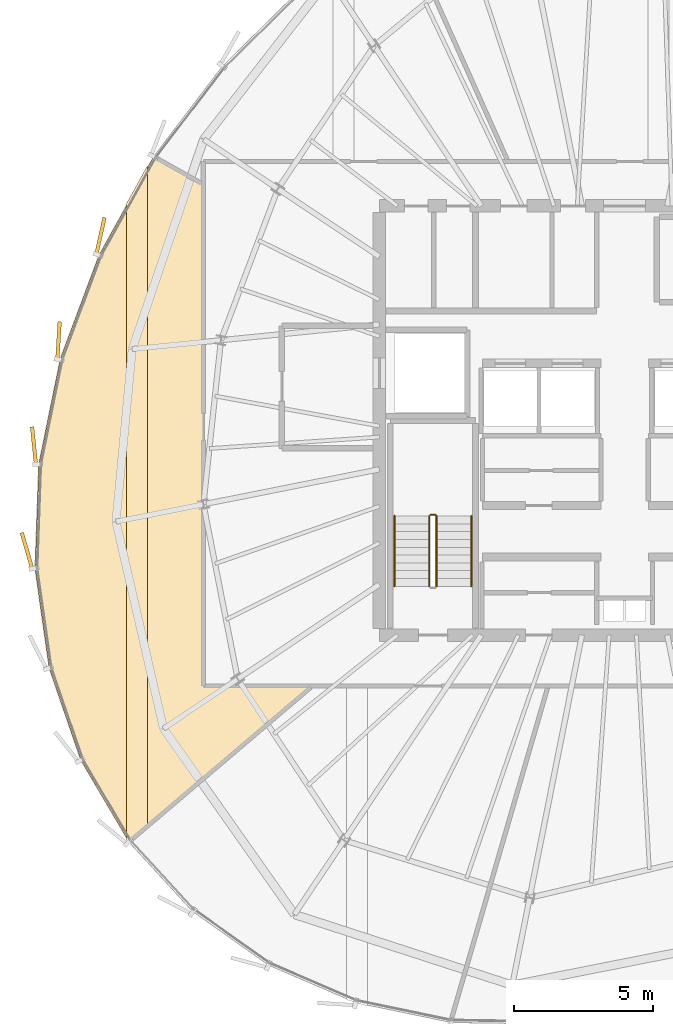
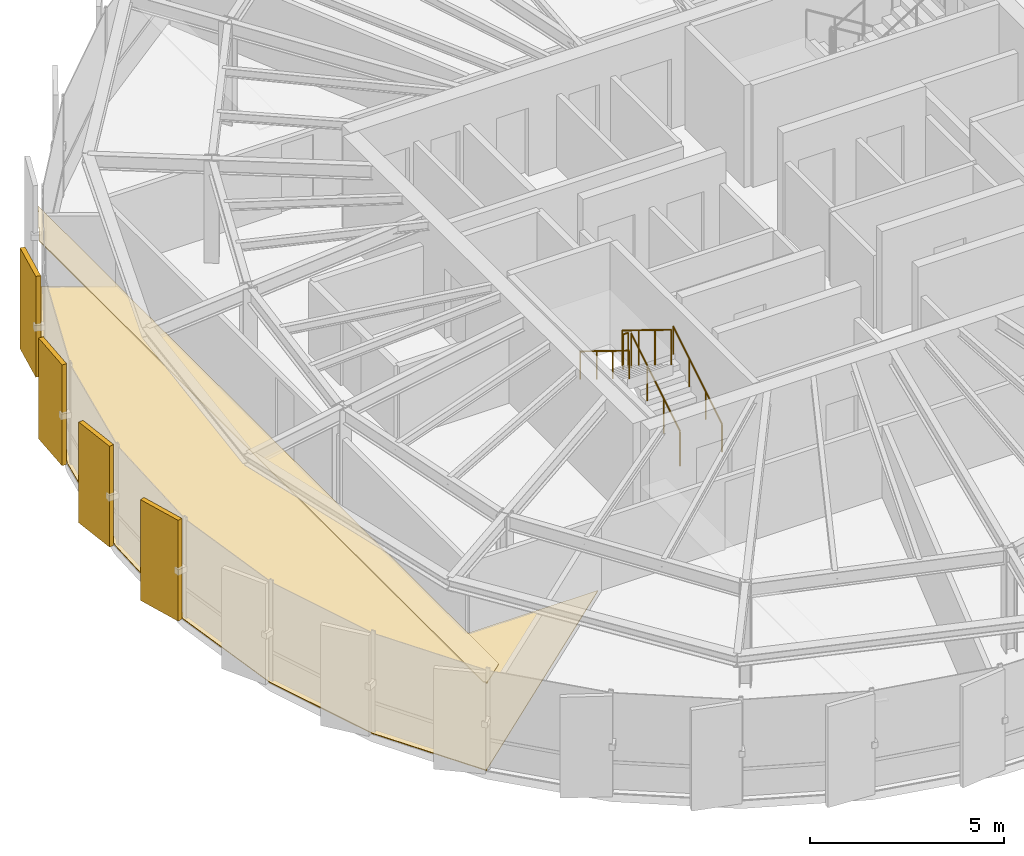
# One storey, part 32 of 34: 6 coverings, 5 railings.
"""IFC4 building model written with IfcOpenShell, lengths in metres."""

from ifc_helpers import new_model, si_unit, direction, frame, origin, origin_2d, place, context, subcontext, project, spatial, polyline, rectangle, circle, outline, extrude, source, transform, mapped, material, layer, layer_set, type_object, element, save


model = new_model("IFC4")

# Units and contexts
model_context = context("Model", 3, precision=1e-05, world=origin(), true_north=direction((0.0, 1.0)))
body_context = subcontext(model_context, "Body", "Model", "MODEL_VIEW")
ifc_project = project(units=[si_unit("LENGTHUNIT", "METRE"), si_unit("AREAUNIT", "SQUARE_METRE"), si_unit("VOLUMEUNIT", "CUBIC_METRE"), si_unit("PLANEANGLEUNIT", "RADIAN"), si_unit("MASSUNIT", "GRAM", prefix="KILO"), si_unit("THERMODYNAMICTEMPERATUREUNIT", "KELVIN")], contexts=[model_context])

# Site, building, storey
site_placement = place(None, origin())
site = spatial("IfcSite", under=ifc_project, at=site_placement, CompositionType="ELEMENT")
building_placement = place(site_placement, origin())
building = spatial("IfcBuilding", under=site, at=building_placement, Name="Kethvar Cultural Tower", CompositionType="ELEMENT")
storey_placement = place(building_placement, frame((0.0, 0.0, 231.85009765625)))
storey = spatial("IfcBuildingStorey", under=building, at=storey_placement, Name="L60", CompositionType="ELEMENT", Elevation=231.85009765625)

# Coverings
ifc_material_1 = material(Name="Acoustic Mineral Fibre Ceiling")
ifc_layer_1 = layer(ifc_material_1, 0.0400390625, Name="Acoustic Mineral Fibre Ceiling")
ifc_layer_set_1 = layer_set([ifc_layer_1], Name="Acoustic Mineral Fibre Ceiling (40 mm)")
covering_type_1 = type_object("IfcCoveringType", Name="CV-ACOUSTIC-CEIL", PredefinedType="CEILING", material=ifc_layer_set_1)
covering_1_placement = place(storey_placement, frame((0.0, 0.0, 2.77978515625)))
element("IfcCovering", 1, at=covering_1_placement, inside=storey, type_object=covering_type_1, Name="L60 Room 07 Acoustic Ceiling Panel", PredefinedType="CEILING", context=body_context, shape_type="SweptSolid", body=[
    extrude(outline(polyline([(29.68017578125, 36.96044921875), (29.68017578125, 13.216552734375), (28.994873046875, 12.641357421875), (28.93017578125, 12.734375), (28.93017578125, 35.60791015625), (29.68017578125, 36.96044921875)])), origin(), (0.0, 0.0, 1.0), 0.0400390625),
])
ifc_material_2 = material(Name="Architectural Oak Timber", Category="wood")
ifc_layer_2 = layer(ifc_material_2, 0.02490234375, Name="Architectural Oak Timber", Category="wood")
ifc_layer_set_2 = layer_set([ifc_layer_2], Name="Architectural Oak Timber (25 mm)")
covering_type_2 = type_object("IfcCoveringType", Name="CV-OAK-FLOOR", PredefinedType="FLOORING", material=ifc_layer_set_2)
covering_2_placement = place(storey_placement, origin())
element("IfcCovering", 2, at=covering_2_placement, inside=storey, type_object=covering_type_2, Name="L60 Room 07 Floor Finish", PredefinedType="FLOORING", context=body_context, shape_type="SweptSolid", body=[
    extrude(outline(polyline([(27.28369140625, 15.6083984375), (26.1474609375, 18.913818359375), (25.638916015625, 22.48974609375), (25.77294921875, 26.22705078125), (26.546142578125, 30.012451171875), (27.934814453125, 33.730712890625), (29.8876953125, 37.252685546875), (31.659912109375, 36.259765625), (31.660888671875, 18.26318359375), (35.536865234375, 18.2490234375), (29.00146484375, 12.69189453125), (27.28369140625, 15.6083984375)])), origin(), (0.0, 0.0, 1.0), 0.02490234375),
])

# Railings
ifc_material_3 = material(Name="Steel S355J2", Category="steel")
railing_type_1 = type_object("IfcRailingType", Name="RL-STAIR-GUARD", PredefinedType="BALUSTRADE", material=ifc_material_3)
railing_1_placement = place(storey_placement, frame((40.050048828125, 21.85009765625, 0.17236328125)))
element("IfcRailing", 3, at=railing_1_placement, inside=storey, type_object=railing_type_1, Name="L60 ST-01 stair guard 1", PredefinedType="BALUSTRADE", context=body_context, shape_type="SweptSolid", body=[
    extrude(circle(Radius=0.02392578125, at=origin_2d()), frame((0.0, 0.0, 1.09619140625), z_axis=(0.0, 0.851400495292, 0.524516154772), x_axis=(-1.0, 0.0, 0.0)), (0.0, 0.0, 1.0), 2.9599609375),
    extrude(circle(Radius=0.02099609375, at=origin_2d()), origin(), (0.0, 0.0, 1.0), 1.072021484375),
    extrude(circle(Radius=0.02099609375, at=origin_2d()), frame((0.0, 0.840087890625, 0.517578125)), (0.0, 0.0, 1.0), 1.072021484375),
    extrude(circle(Radius=0.02099609375, at=origin_2d()), frame((0.0, 1.679931640625, 1.034912109375)), (0.0, 0.0, 1.0), 1.072021484375),
    extrude(circle(Radius=0.02099609375, at=origin_2d()), frame((0.0, 2.52001953125, 1.552490234375)), (0.0, 0.0, 1.0), 1.072021484375),
])
railing_2_placement = place(storey_placement, frame((40.0, 24.419921875, 1.724853515625)))
element("IfcRailing", 4, at=railing_2_placement, inside=storey, type_object=railing_type_1, Name="L60 ST-01 stair guard 2", PredefinedType="BALUSTRADE", context=body_context, shape_type="SweptSolid", body=[
    extrude(circle(Radius=0.02392578125, at=origin_2d()), frame((0.0, 0.0, 1.09619140625), z_axis=(-1.0, 0.0, 0.0), x_axis=(0.0, -1.0, 0.0)), (0.0, 0.0, 1.0), 0.159912109375),
    extrude(circle(Radius=0.02099609375, at=origin_2d()), origin(), (0.0, 0.0, 1.0), 1.072021484375),
    extrude(circle(Radius=0.02099609375, at=origin_2d()), frame((-0.159912109375, 0.0, 0.0)), (0.0, 0.0, 1.0), 1.072021484375),
])
railing_3_placement = place(storey_placement, frame((39.7900390625, 24.3701171875, 1.8974609375)))
element("IfcRailing", 5, at=railing_3_placement, inside=storey, type_object=railing_type_1, Name="L60 ST-01 stair guard 3", PredefinedType="BALUSTRADE", context=body_context, shape_type="SweptSolid", body=[
    extrude(circle(Radius=0.02392578125, at=origin_2d()), frame((0.0, 0.0, 1.09619140625), z_axis=(0.0, -0.851400495292, 0.524516154772), x_axis=(1.0, 0.0, 0.0)), (0.0, 0.0, 1.0), 2.9599609375),
    extrude(circle(Radius=0.02099609375, at=origin_2d()), origin(), (0.0, 0.0, 1.0), 1.072021484375),
    extrude(circle(Radius=0.02099609375, at=origin_2d()), frame((0.0, -0.840087890625, 0.517578125)), (0.0, 0.0, 1.0), 1.072021484375),
    extrude(circle(Radius=0.02099609375, at=origin_2d()), frame((0.0, -1.679931640625, 1.034912109375)), (0.0, 0.0, 1.0), 1.072021484375),
    extrude(circle(Radius=0.02099609375, at=origin_2d()), frame((0.0, -2.52001953125, 1.552490234375)), (0.0, 0.0, 1.0), 1.072021484375),
])
railing_type_2 = type_object("IfcRailingType", Name="RL-STAIR-HANDRAIL", PredefinedType="HANDRAIL", material=ifc_material_3)
railing_4_placement = place(storey_placement, frame((41.300048828125, 21.85009765625, 0.17236328125)))
element("IfcRailing", 6, at=railing_4_placement, inside=storey, type_object=railing_type_2, Name="L60 ST-01 stair handrail 1", PredefinedType="HANDRAIL", context=body_context, shape_type="SweptSolid", body=[
    extrude(circle(Radius=0.02392578125, at=origin_2d()), frame((0.0, 0.0, 0.8759765625), z_axis=(0.0, 0.851400495292, 0.524516154772), x_axis=(-1.0, 0.0, 0.0)), (0.0, 0.0, 1.0), 2.9599609375),
    extrude(circle(Radius=0.02099609375, at=origin_2d()), origin(), (0.0, 0.0, 1.0), 0.851806640625),
    extrude(circle(Radius=0.02099609375, at=origin_2d()), frame((0.0, 0.840087890625, 0.517578125)), (0.0, 0.0, 1.0), 0.851806640625),
    extrude(circle(Radius=0.02099609375, at=origin_2d()), frame((0.0, 1.679931640625, 1.034912109375)), (0.0, 0.0, 1.0), 0.851806640625),
    extrude(circle(Radius=0.02099609375, at=origin_2d()), frame((0.0, 2.52001953125, 1.552490234375)), (0.0, 0.0, 1.0), 0.851806640625),
])
railing_5_placement = place(storey_placement, frame((38.5400390625, 24.3701171875, 1.8974609375)))
element("IfcRailing", 7, at=railing_5_placement, inside=storey, type_object=railing_type_2, Name="L60 ST-01 stair handrail 2", PredefinedType="HANDRAIL", context=body_context, shape_type="SweptSolid", body=[
    extrude(circle(Radius=0.02392578125, at=origin_2d()), frame((0.0, 0.0, 0.8759765625), z_axis=(0.0, -0.851400495292, 0.524516154772), x_axis=(1.0, 0.0, 0.0)), (0.0, 0.0, 1.0), 2.9599609375),
    extrude(circle(Radius=0.02099609375, at=origin_2d()), origin(), (0.0, 0.0, 1.0), 0.851806640625),
    extrude(circle(Radius=0.02099609375, at=origin_2d()), frame((0.0, -0.840087890625, 0.517578125)), (0.0, 0.0, 1.0), 0.851806640625),
    extrude(circle(Radius=0.02099609375, at=origin_2d()), frame((0.0, -1.679931640625, 1.034912109375)), (0.0, 0.0, 1.0), 0.851806640625),
    extrude(circle(Radius=0.02099609375, at=origin_2d()), frame((0.0, -2.52001953125, 1.552490234375)), (0.0, 0.0, 1.0), 0.851806640625),
])

# Coverings
ifc_material_4 = material(Name="Extruded Architectural Terracotta", Category="masonry")
ifc_layer_3 = layer(ifc_material_4, 0.135009765625, Name="Extruded Architectural Terracotta", Category="masonry")
ifc_layer_set_3 = layer_set([ifc_layer_3], Name="Extruded Architectural Terracotta (135 mm)")
covering_type_3 = type_object("IfcCoveringType", Name="Terracotta Facade Fin FIN-03", PredefinedType="CLADDING", material=ifc_layer_set_3)
shared_shape = source(origin(), body_context, "Body", "SweptSolid", [
    extrude(rectangle(XDim=1.35009765625, YDim=0.135009765625, at=origin_2d()), origin(), (0.0, 0.0, 1.0), 3.169921875),
])
for number, where, z_axis, x_axis, name in (
    (8, (27.987548828125, 34.42626953125, 0.02001953125), (0.0, 0.0, 1.0), (0.216098809163, 0.976371499317, 0.0), "L60 Vertical Terracotta Fin 2.6"),
    (9, (26.48291015625, 30.672607421875, 0.02001953125), (0.0, 0.0, 1.0), (0.061745354146, 0.998091935265, 0.0), "L60 Vertical Terracotta Fin 3.1"),
    (10, (25.603271484375, 26.90380859375, 0.02001953125), (0.0, 0.0, 1.0), (-0.10348694525, 0.994630811991, 0.0), "L60 Vertical Terracotta Fin 3.2"),
    (11, (25.352294921875, 23.1259765625, 0.02001953125), (0.0, 0.0, 1.0), (-0.277314653302, 0.960779154158, 0.0), "L60 Vertical Terracotta Fin 3.3"),
):
    element("IfcCovering", number, at=place(storey_placement, frame(where, z_axis=z_axis, x_axis=x_axis)), inside=storey, type_object=covering_type_3, Name=name, PredefinedType="CLADDING", context=body_context, shape_type="MappedRepresentation", body=[
        mapped(shared_shape, transform((0.0, 0.0, 0.0), scale=1.0)),
    ])

save(model, "model.ifc")
